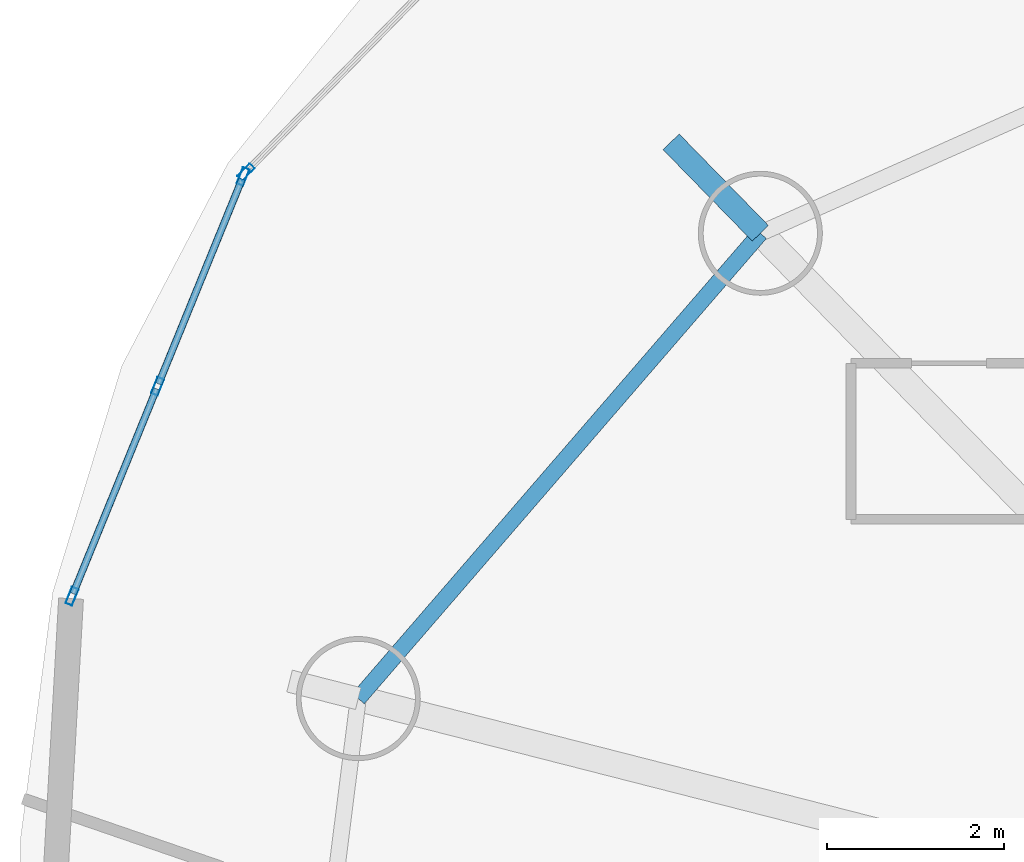
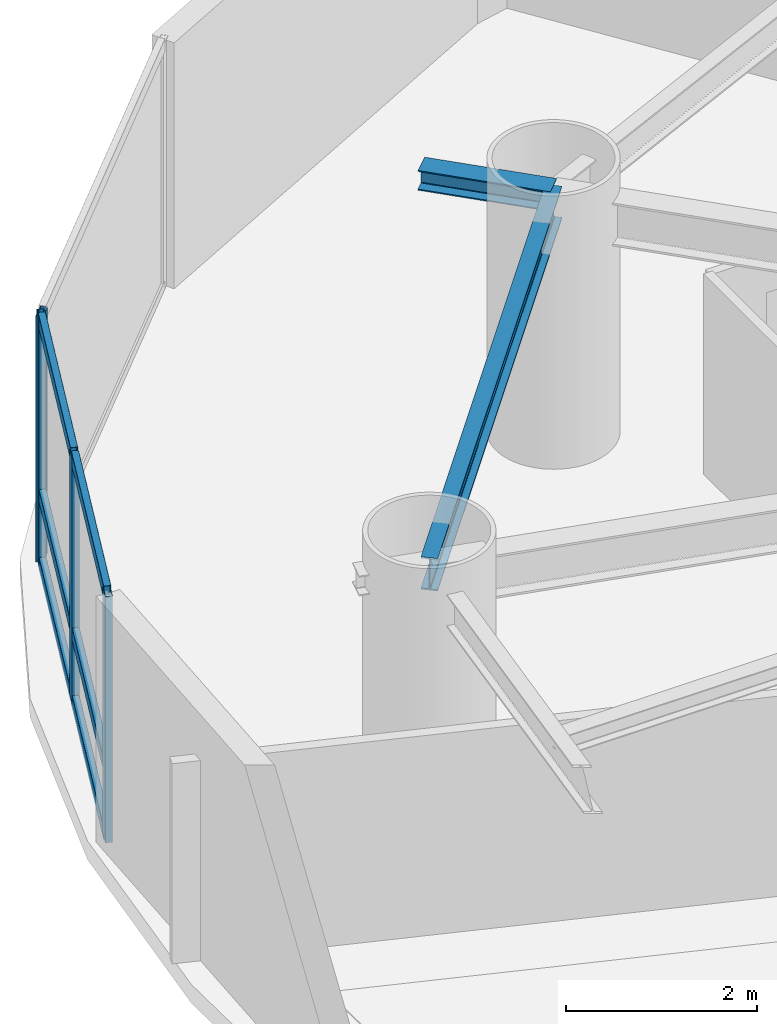
# One storey, part 10 of 21: 10 members, 2 beams, 2 elements without a shape of their own.
"""IFC4 building model written with IfcOpenShell, lengths in metres."""

from ifc_helpers import new_model, si_unit, direction, frame, origin, origin_2d, place, context, subcontext, project, spatial, hollow_rectangle, i_section, extrude, material, layer, layer_set, material_profile, profile_set, type_object, element, aggregate, save


model = new_model("IFC4")

# Units and contexts
model_context = context("Model", 3, precision=1e-05, world=origin(), true_north=direction((0.0, 1.0)))
body_context = subcontext(model_context, "Body", "Model", "MODEL_VIEW")
ifc_project = project(units=[si_unit("LENGTHUNIT", "METRE"), si_unit("AREAUNIT", "SQUARE_METRE"), si_unit("VOLUMEUNIT", "CUBIC_METRE"), si_unit("PLANEANGLEUNIT", "RADIAN"), si_unit("MASSUNIT", "GRAM", prefix="KILO")], contexts=[model_context])

# Site, building, storey
site_placement = place(None, origin())
site = spatial("IfcSite", under=ifc_project, at=site_placement, CompositionType="ELEMENT")
building_placement = place(site_placement, origin())
building = spatial("IfcBuilding", under=site, at=building_placement, Name="Bramvorn Convention Spire", CompositionType="ELEMENT")
storey_placement = place(building_placement, frame((0.0, 0.0, 162.300048828125)))
storey = spatial("IfcBuildingStorey", under=building, at=storey_placement, Name="L41", CompositionType="ELEMENT", Elevation=162.300048828125)

# Beams
ifc_material_1 = material(Name="Steel CSA G40.21 Grade 350 (350W)", Category="steel")
ifc_material_profile_1 = material_profile(ifc_material_1, i_section(OverallWidth=0.25390625, OverallDepth=0.2529296875, WebThickness=0.008544921875, FlangeThickness=0.01416015625, FilletRadius=0.011962890625, at=origin_2d()))
ifc_profile_set_1 = profile_set([ifc_material_profile_1], Name="Steel CSA G40.21 Grade 350 (350W) - W250X73")
beam_type_1 = type_object("IfcBeamType", Name="BM-W250X73", PredefinedType="BEAM", material=ifc_profile_set_1)
beam_1_placement = place(storey_placement, frame((18.420166015625, 41.9892578125, 3.0234375), z_axis=(-0.698247680399, 0.715856254298, 0.0), x_axis=(-0.715856254298, -0.698247680399, 0.0)))
element("IfcBeam", 1, at=beam_1_placement, inside=storey, type_object=beam_type_1, Name="L41 slab-edge cantilever tip beam MC08", PredefinedType="BEAM", context=body_context, shape_type="SweptSolid", body=[
    extrude(i_section(OverallWidth=0.25390625, OverallDepth=0.2529296875, WebThickness=0.008544921875, FlangeThickness=0.01416015625, FilletRadius=0.011962890625, at=origin_2d()), origin(), (0.0, 0.0, 1.0), 1.44189453125),
])
ifc_material_profile_2 = material_profile(ifc_material_1, i_section(OverallWidth=0.180908203125, OverallDepth=0.4169921875, WebThickness=0.010986328125, FlangeThickness=0.018310546875, FilletRadius=0.01611328125, at=origin_2d()))
ifc_profile_set_2 = profile_set([ifc_material_profile_2], Name="Steel CSA G40.21 Grade 350 (350W) - W410X85")
beam_type_2 = type_object("IfcBeamType", Name="BM-W410X85", PredefinedType="JOIST", material=ifc_profile_set_2)
beam_2_placement = place(storey_placement, frame((18.420166015625, 41.9892578125, 2.94140625), z_axis=(-0.653824993824, -0.756645807132, 0.0), x_axis=(0.756645807132, -0.653824993824, 0.0)))
element("IfcBeam", 2, at=beam_2_placement, inside=storey, type_object=beam_type_2, Name="L41 mega-column ring beam 08", PredefinedType="JOIST", context=body_context, shape_type="SweptSolid", body=[
    extrude(i_section(OverallWidth=0.180908203125, OverallDepth=0.4169921875, WebThickness=0.010986328125, FlangeThickness=0.018310546875, FilletRadius=0.01611328125, at=origin_2d()), origin(), (0.0, 0.0, 1.0), 6.9404296875),
])

# Curtain wall, member
ifc_material_2 = material(Name="Anodised Bronze Unitised Curtain Wall", Category="aluminium")
ifc_layer = layer(ifc_material_2, 0.179931640625)
ifc_layer_set = layer_set([ifc_layer], Name="Anodised Bronze Unitised Curtain Wall - CW-HTL-FRIT")
curtain_wall_type = type_object("IfcCurtainWallType", Name="CW-HTL-FRIT", PredefinedType="USERDEFINED", material=ifc_layer_set)
curtain_wall_1_placement = place(storey_placement, origin())
curtain_wall_1 = element("IfcCurtainWall", 3, at=curtain_wall_1_placement, inside=storey, type_object=curtain_wall_type, Name="L41 fritted glass curtain wall 12", ObjectType="UNITISED CURTAIN WALL", PredefinedType="USERDEFINED")
ifc_material_3 = material(Name="Anodised Bronze Aluminium 6063-T6", Category="aluminium")
ifc_material_profile_3 = material_profile(ifc_material_3, hollow_rectangle(XDim=0.080078125, YDim=0.199951171875, WallThickness=0.00390625, InnerFilletRadius=0.0009765625, OuterFilletRadius=0.00390625, at=origin_2d()))
ifc_profile_set_3 = profile_set([ifc_material_profile_3], Name="Anodised Bronze Aluminium 6063-T6 - CWM80X200")
member_type_1 = type_object("IfcMemberType", Name="CW-MUL-180", PredefinedType="MULLION", material=ifc_profile_set_3)
member_1_placement = place(storey_placement, frame((12.614501953125, 42.678466796875, 0.0), z_axis=(0.0, 0.0, 1.0), x_axis=(-0.715348995073, 0.698767354166, 0.0)))
member_1 = element("IfcMember", 4, at=member_1_placement, type_object=member_type_1, Name="CW2 mullion 1", PredefinedType="MULLION", context=body_context, shape_type="SweptSolid", body=[
    extrude(hollow_rectangle(XDim=0.080078125, YDim=0.199951171875, WallThickness=0.00390625, InnerFilletRadius=0.0009765625, OuterFilletRadius=0.00390625, at=origin_2d()), origin(), (0.0, 0.0, 1.0), 3.14990234375),
])
aggregate(curtain_wall_1, [member_1])

# Curtain wall, members
curtain_wall_2_placement = place(storey_placement, origin())
curtain_wall_2 = element("IfcCurtainWall", 5, at=curtain_wall_2_placement, inside=storey, type_object=curtain_wall_type, Name="L41 fritted glass curtain wall 13", ObjectType="UNITISED CURTAIN WALL", PredefinedType="USERDEFINED")
member_2_placement = place(storey_placement, frame((10.652099609375, 37.89306640625, 0.0), z_axis=(0.0, 0.0, 1.0), x_axis=(-0.926056840802, 0.377384058493, 0.0)))
member_2 = element("IfcMember", 6, at=member_2_placement, type_object=member_type_1, Name="CW2 mullion 1", PredefinedType="MULLION", context=body_context, shape_type="SweptSolid", body=[
    extrude(hollow_rectangle(XDim=0.080078125, YDim=0.199951171875, WallThickness=0.00390625, InnerFilletRadius=0.0009765625, OuterFilletRadius=0.00390625, at=origin_2d()), origin(), (0.0, 0.0, 1.0), 3.14990234375),
])
member_3_placement = place(storey_placement, frame((11.6171875, 40.26123046875, 0.0), z_axis=(0.0, 0.0, 1.0), x_axis=(-0.926056840802, 0.377384058493, 0.0)))
member_3 = element("IfcMember", 7, at=member_3_placement, type_object=member_type_1, Name="CW2 mullion 2", PredefinedType="MULLION", context=body_context, shape_type="SweptSolid", body=[
    extrude(hollow_rectangle(XDim=0.080078125, YDim=0.199951171875, WallThickness=0.00390625, InnerFilletRadius=0.0009765625, OuterFilletRadius=0.00390625, at=origin_2d()), origin(), (0.0, 0.0, 1.0), 3.14990234375),
])
member_4_placement = place(storey_placement, frame((12.582275390625, 42.62939453125, 0.0), z_axis=(0.0, 0.0, 1.0), x_axis=(-0.926056840802, 0.377384058493, 0.0)))
member_4 = element("IfcMember", 8, at=member_4_placement, type_object=member_type_1, Name="CW2 mullion 3", PredefinedType="MULLION", context=body_context, shape_type="SweptSolid", body=[
    extrude(hollow_rectangle(XDim=0.080078125, YDim=0.199951171875, WallThickness=0.00390625, InnerFilletRadius=0.0009765625, OuterFilletRadius=0.00390625, at=origin_2d()), origin(), (0.0, 0.0, 1.0), 3.14990234375),
])
ifc_material_profile_4 = material_profile(ifc_material_3, hollow_rectangle(XDim=0.080078125, YDim=0.159912109375, WallThickness=0.00390625, InnerFilletRadius=0.0009765625, OuterFilletRadius=0.00390625, at=origin_2d()))
ifc_profile_set_4 = profile_set([ifc_material_profile_4], Name="Anodised Bronze Aluminium 6063-T6 - CWT80X160")
member_type_2 = type_object("IfcMemberType", Name="CW-TRN-150", PredefinedType="USERDEFINED", material=ifc_profile_set_4)
member_5_placement = place(storey_placement, frame((10.66357421875, 37.9208984375, 0.030029296875), z_axis=(0.377383841513, 0.926056929225, 0.0), x_axis=(-0.926056929225, 0.377383841513, 0.0)))
member_5 = element("IfcMember", 9, at=member_5_placement, type_object=member_type_2, Name="CW2 transom 1.1", ObjectType="TRANSOM", PredefinedType="USERDEFINED", context=body_context, shape_type="SweptSolid", body=[
    extrude(hollow_rectangle(XDim=0.080078125, YDim=0.159912109375, WallThickness=0.00390625, InnerFilletRadius=0.0009765625, OuterFilletRadius=0.00390625, at=origin_2d()), origin(), (0.0, 0.0, 1.0), 2.4970703125),
])
member_6_placement = place(storey_placement, frame((10.66357421875, 37.9208984375, 0.89990234375), z_axis=(0.377383841513, 0.926056929225, 0.0), x_axis=(-0.926056929225, 0.377383841513, 0.0)))
member_6 = element("IfcMember", 10, at=member_6_placement, type_object=member_type_2, Name="CW2 transom 1.2", ObjectType="TRANSOM", PredefinedType="USERDEFINED", context=body_context, shape_type="SweptSolid", body=[
    extrude(hollow_rectangle(XDim=0.080078125, YDim=0.159912109375, WallThickness=0.00390625, InnerFilletRadius=0.0009765625, OuterFilletRadius=0.00390625, at=origin_2d()), origin(), (0.0, 0.0, 1.0), 2.4970703125),
])
member_7_placement = place(storey_placement, frame((10.66357421875, 37.9208984375, 3.119873046875), z_axis=(0.377383841513, 0.926056929225, 0.0), x_axis=(-0.926056929225, 0.377383841513, 0.0)))
member_7 = element("IfcMember", 11, at=member_7_placement, type_object=member_type_2, Name="CW2 transom 1.3", ObjectType="TRANSOM", PredefinedType="USERDEFINED", context=body_context, shape_type="SweptSolid", body=[
    extrude(hollow_rectangle(XDim=0.080078125, YDim=0.159912109375, WallThickness=0.00390625, InnerFilletRadius=0.0009765625, OuterFilletRadius=0.00390625, at=origin_2d()), origin(), (0.0, 0.0, 1.0), 2.4970703125),
])
member_8_placement = place(storey_placement, frame((11.628662109375, 40.2890625, 0.030029296875), z_axis=(0.377383841513, 0.926056929225, 0.0), x_axis=(-0.926056929225, 0.377383841513, 0.0)))
member_8 = element("IfcMember", 12, at=member_8_placement, type_object=member_type_2, Name="CW2 transom 2.1", ObjectType="TRANSOM", PredefinedType="USERDEFINED", context=body_context, shape_type="SweptSolid", body=[
    extrude(hollow_rectangle(XDim=0.080078125, YDim=0.159912109375, WallThickness=0.00390625, InnerFilletRadius=0.0009765625, OuterFilletRadius=0.00390625, at=origin_2d()), origin(), (0.0, 0.0, 1.0), 2.4970703125),
])
member_9_placement = place(storey_placement, frame((11.628662109375, 40.2890625, 0.89990234375), z_axis=(0.377383841513, 0.926056929225, 0.0), x_axis=(-0.926056929225, 0.377383841513, 0.0)))
member_9 = element("IfcMember", 13, at=member_9_placement, type_object=member_type_2, Name="CW2 transom 2.2", ObjectType="TRANSOM", PredefinedType="USERDEFINED", context=body_context, shape_type="SweptSolid", body=[
    extrude(hollow_rectangle(XDim=0.080078125, YDim=0.159912109375, WallThickness=0.00390625, InnerFilletRadius=0.0009765625, OuterFilletRadius=0.00390625, at=origin_2d()), origin(), (0.0, 0.0, 1.0), 2.4970703125),
])
member_10_placement = place(storey_placement, frame((11.628662109375, 40.2890625, 3.119873046875), z_axis=(0.377383841513, 0.926056929225, 0.0), x_axis=(-0.926056929225, 0.377383841513, 0.0)))
member_10 = element("IfcMember", 14, at=member_10_placement, type_object=member_type_2, Name="CW2 transom 2.3", ObjectType="TRANSOM", PredefinedType="USERDEFINED", context=body_context, shape_type="SweptSolid", body=[
    extrude(hollow_rectangle(XDim=0.080078125, YDim=0.159912109375, WallThickness=0.00390625, InnerFilletRadius=0.0009765625, OuterFilletRadius=0.00390625, at=origin_2d()), origin(), (0.0, 0.0, 1.0), 2.4970703125),
])
aggregate(curtain_wall_2, [member_2, member_3, member_4, member_5, member_6, member_7, member_8, member_9, member_10])

save(model, "model.ifc")
